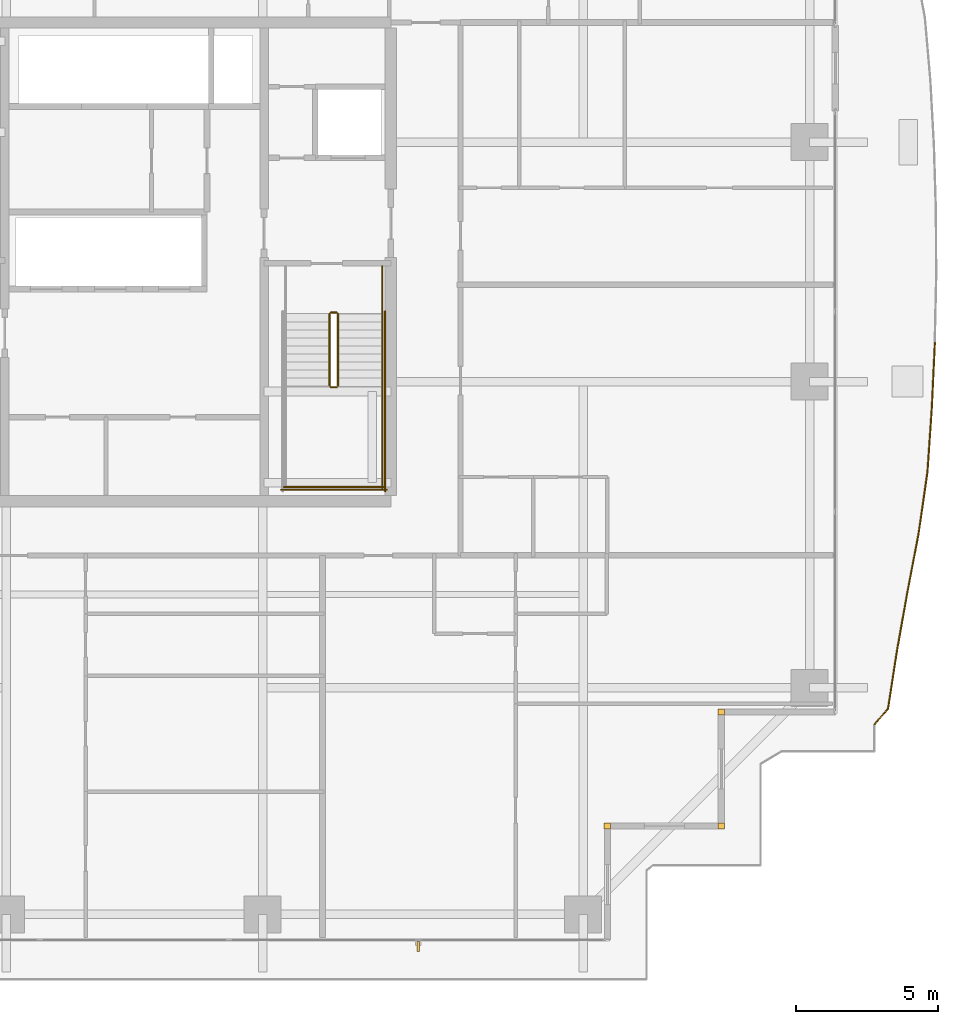
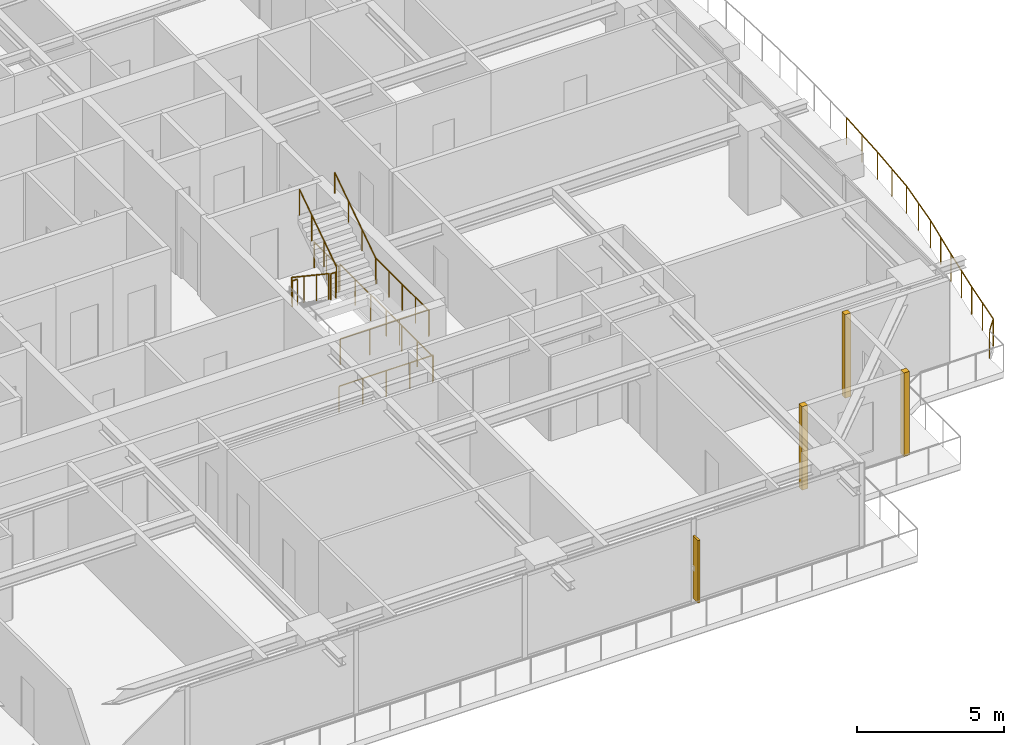
# One storey, part 33 of 34: 11 railings, 3 coverings, 1 shading device.
"""IFC4 building model written with IfcOpenShell, lengths in metres."""

from ifc_helpers import new_model, si_unit, direction, frame, origin, origin_2d, place, context, subcontext, project, spatial, rectangle, circle, extrude, source, transform, mapped, material, layer, layer_set, type_object, element, save


model = new_model("IFC4")

# Units and contexts
model_context = context("Model", 3, precision=1e-05, world=origin(), true_north=direction((0.0, 1.0)))
body_context = subcontext(model_context, "Body", "Model", "MODEL_VIEW")
ifc_project = project(units=[si_unit("LENGTHUNIT", "METRE"), si_unit("AREAUNIT", "SQUARE_METRE"), si_unit("VOLUMEUNIT", "CUBIC_METRE"), si_unit("PLANEANGLEUNIT", "RADIAN"), si_unit("MASSUNIT", "GRAM", prefix="KILO")], contexts=[model_context])

# Site, building, storey
site_placement = place(None, origin())
site = spatial("IfcSite", under=ifc_project, at=site_placement, CompositionType="ELEMENT")
building_placement = place(site_placement, origin())
building = spatial("IfcBuilding", under=site, at=building_placement, Name="Serunith Strait Residences", CompositionType="ELEMENT")
storey_placement = place(building_placement, frame((0.0, 0.0, 180.14990234375)))
storey = spatial("IfcBuildingStorey", under=building, at=storey_placement, Name="L45", CompositionType="ELEMENT", Elevation=180.14990234375)

# Railings
ifc_material_1 = material(Name="Stainless Steel & Laminated Glass Balustrade", Category="steel")
railing_type_1 = type_object("IfcRailingType", Name="RLG-BALC-1150", PredefinedType="BALUSTRADE", material=ifc_material_1)
railing_1_placement = place(storey_placement, frame((60.4951171875, 22.36376953125, -0.0498046875)))
element("IfcRailing", 1, at=railing_1_placement, inside=storey, type_object=railing_type_1, Name="L45 Swirling Balcony Perimeter Balustrade 6", PredefinedType="BALUSTRADE", context=body_context, shape_type="SweptSolid", body=[
    extrude(circle(Radius=0.02392578125, at=origin_2d()), frame((0.0, -0.001953125, 1.1259765625), z_axis=(-0.046885194582, -0.998900284577, 0.0), x_axis=(0.998900284577, -0.046885194582, 0.0)), (0.0, 0.0, 1.0), 2.281982421875),
    extrude(circle(Radius=0.02392578125, at=origin_2d()), frame((-0.107421875, -2.285400390625, 1.1259765625), z_axis=(-0.067759850618, -0.997701660139, 0.0), x_axis=(0.997701660139, -0.067759850618, 0.0)), (0.0, 0.0, 1.0), 2.255126953125),
    extrude(circle(Radius=0.02392578125, at=origin_2d()), frame((-0.260498046875, -4.539306640625, 1.1259765625), z_axis=(-0.142666658646, -0.989770793927, 0.0), x_axis=(0.989770793927, -0.142666658646, 0.0)), (0.0, 0.0, 1.0), 2.191650390625),
    extrude(circle(Radius=0.02392578125, at=origin_2d()), frame((-0.573974609375, -6.71240234375, 1.1259765625), z_axis=(-0.187550666226, -0.982254930045, 0.0), x_axis=(0.982254930045, -0.187550666226, 0.0)), (0.0, 0.0, 1.0), 2.119140625),
    extrude(circle(Radius=0.02392578125, at=origin_2d()), frame((-0.971923828125, -8.7978515625, 1.1259765625), z_axis=(-0.174982534349, -0.984571537611, 0.0), x_axis=(0.984571537611, -0.174982534349, 0.0)), (0.0, 0.0, 1.0), 2.06640625),
    extrude(circle(Radius=0.02392578125, at=origin_2d()), frame((-1.334228515625, -10.83642578125, 1.1259765625), z_axis=(-0.152589427504, -0.988289667362, 0.0), x_axis=(0.988289667362, -0.152589427504, 0.0)), (0.0, 0.0, 1.0), 2.029541015625),
    extrude(circle(Radius=0.02392578125, at=origin_2d()), frame((-1.6455078125, -12.845703125, 1.1259765625), z_axis=(-0.649210146716, -0.760609088429, 0.0), x_axis=(0.760609088429, -0.649210146716, 0.0)), (0.0, 0.0, 1.0), 0.721435546875),
    extrude(circle(Radius=0.02099609375, at=origin_2d()), origin(), (0.0, 0.0, 1.0), 1.099853515625),
    extrude(circle(Radius=0.02099609375, at=origin_2d()), frame((-0.0537109375, -1.1416015625, 0.0)), (0.0, 0.0, 1.0), 1.099853515625),
    extrude(circle(Radius=0.02099609375, at=origin_2d()), frame((-0.107177734375, -2.283447265625, 0.0)), (0.0, 0.0, 1.0), 1.099853515625),
    extrude(circle(Radius=0.02099609375, at=origin_2d()), frame((-0.18359375, -3.410400390625, 0.0)), (0.0, 0.0, 1.0), 1.099853515625),
    extrude(circle(Radius=0.02099609375, at=origin_2d()), frame((-0.26025390625, -4.537353515625, 0.0)), (0.0, 0.0, 1.0), 1.099853515625),
    extrude(circle(Radius=0.02099609375, at=origin_2d()), frame((-0.4169921875, -5.6240234375, 0.0)), (0.0, 0.0, 1.0), 1.099853515625),
    extrude(circle(Radius=0.02099609375, at=origin_2d()), frame((-0.573486328125, -6.71044921875, 0.0)), (0.0, 0.0, 1.0), 1.099853515625),
    extrude(circle(Radius=0.02099609375, at=origin_2d()), frame((-0.7724609375, -7.753173828125, 0.0)), (0.0, 0.0, 1.0), 1.099853515625),
    extrude(circle(Radius=0.02099609375, at=origin_2d()), frame((-0.9716796875, -8.7958984375, 0.0)), (0.0, 0.0, 1.0), 1.099853515625),
    extrude(circle(Radius=0.02099609375, at=origin_2d()), frame((-1.15283203125, -9.815185546875, 0.0)), (0.0, 0.0, 1.0), 1.099853515625),
    extrude(circle(Radius=0.02099609375, at=origin_2d()), frame((-1.333984375, -10.83447265625, 0.0)), (0.0, 0.0, 1.0), 1.099853515625),
    extrude(circle(Radius=0.02099609375, at=origin_2d()), frame((-1.4892578125, -11.83935546875, 0.0)), (0.0, 0.0, 1.0), 1.099853515625),
    extrude(circle(Radius=0.02099609375, at=origin_2d()), frame((-1.644287109375, -12.84423828125, 0.0)), (0.0, 0.0, 1.0), 1.099853515625),
    extrude(circle(Radius=0.02099609375, at=origin_2d()), frame((-2.115234375, -13.39599609375, 0.0)), (0.0, 0.0, 1.0), 1.099853515625),
])
ifc_material_2 = material(Name="Brushed stainless steel 316L", Category="steel")
railing_type_2 = type_object("IfcRailingType", Name="RLG-STAIR-GUARD", PredefinedType="BALUSTRADE", material=ifc_material_2)
railing_2_placement = place(storey_placement, frame((39.25, 23.3701171875, 0.1875)))
element("IfcRailing", 2, at=railing_2_placement, inside=storey, type_object=railing_type_2, Name="L45 ST-2 stair guard 1", PredefinedType="BALUSTRADE", context=body_context, shape_type="SweptSolid", body=[
    extrude(circle(Radius=0.02392578125, at=origin_2d()), frame((0.0, -0.001708984375, 1.0771484375), z_axis=(0.0, -0.830909170722, 0.55640807867), x_axis=(1.0, 0.0, 0.0)), (0.0, 0.0, 1.0), 3.02880859375),
    extrude(circle(Radius=0.02099609375, at=origin_2d()), origin(), (0.0, 0.0, 1.0), 1.050048828125),
    extrude(circle(Radius=0.02099609375, at=origin_2d()), frame((0.0, -0.840087890625, 0.5625)), (0.0, 0.0, 1.0), 1.050048828125),
    extrude(circle(Radius=0.02099609375, at=origin_2d()), frame((0.0, -1.679931640625, 1.125)), (0.0, 0.0, 1.0), 1.050048828125),
    extrude(circle(Radius=0.02099609375, at=origin_2d()), frame((0.0, -2.52001953125, 1.6875)), (0.0, 0.0, 1.0), 1.050048828125),
])
railing_3_placement = place(storey_placement, frame((39.300048828125, 20.800048828125, 1.875)))
element("IfcRailing", 3, at=railing_3_placement, inside=storey, type_object=railing_type_2, Name="L45 ST-2 stair guard 2", PredefinedType="BALUSTRADE", context=body_context, shape_type="SweptSolid", body=[
    extrude(circle(Radius=0.02392578125, at=origin_2d()), frame((0.001953125, 0.0, 1.076171875), z_axis=(1.0, 0.0, 0.0), x_axis=(0.0, 1.0, 0.0)), (0.0, 0.0, 1.0), 0.196044921875),
    extrude(circle(Radius=0.02099609375, at=origin_2d()), origin(), (0.0, 0.0, 1.0), 1.050048828125),
    extrude(circle(Radius=0.02099609375, at=origin_2d()), frame((0.199951171875, 0.0, 0.0)), (0.0, 0.0, 1.0), 1.050048828125),
])
railing_4_placement = place(storey_placement, frame((41.10009765625, 20.85009765625, 1.875)))
element("IfcRailing", 4, at=railing_4_placement, inside=storey, type_object=railing_type_2, Name="L45 ST-2 stair guard 4", PredefinedType="BALUSTRADE", context=body_context, shape_type="SweptSolid", body=[
    extrude(circle(Radius=0.02392578125, at=origin_2d()), frame((0.0, -0.001953125, 1.076171875), z_axis=(0.0, -1.0, 0.0), x_axis=(1.0, 0.0, 0.0)), (0.0, 0.0, 1.0), 3.59619140625),
    extrude(circle(Radius=0.02099609375, at=origin_2d()), origin(), (0.0, 0.0, 1.0), 1.050048828125),
    extrude(circle(Radius=0.02099609375, at=origin_2d()), frame((0.0, -0.89990234375, 0.0)), (0.0, 0.0, 1.0), 1.050048828125),
    extrude(circle(Radius=0.02099609375, at=origin_2d()), frame((0.0, -1.800048828125, 0.0)), (0.0, 0.0, 1.0), 1.050048828125),
    extrude(circle(Radius=0.02099609375, at=origin_2d()), frame((0.0, -2.7001953125, 0.0)), (0.0, 0.0, 1.0), 1.050048828125),
    extrude(circle(Radius=0.02099609375, at=origin_2d()), frame((0.0, -3.60009765625, 0.0)), (0.0, 0.0, 1.0), 1.050048828125),
])
railing_5_placement = place(storey_placement, frame((37.64990234375, 17.300048828125, 1.875)))
element("IfcRailing", 5, at=railing_5_placement, inside=storey, type_object=railing_type_2, Name="L45 ST-2 stair guard 5", PredefinedType="BALUSTRADE", context=body_context, shape_type="SweptSolid", body=[
    extrude(circle(Radius=0.02392578125, at=origin_2d()), frame((0.001953125, 0.0, 1.076171875), z_axis=(1.0, 0.0, 0.0), x_axis=(0.0, 1.0, 0.0)), (0.0, 0.0, 1.0), 3.49609375),
    extrude(circle(Radius=0.02099609375, at=origin_2d()), origin(), (0.0, 0.0, 1.0), 1.050048828125),
    extrude(circle(Radius=0.02099609375, at=origin_2d()), frame((1.166748046875, 0.0, 0.0)), (0.0, 0.0, 1.0), 1.050048828125),
    extrude(circle(Radius=0.02099609375, at=origin_2d()), frame((2.333251953125, 0.0, 0.0)), (0.0, 0.0, 1.0), 1.050048828125),
    extrude(circle(Radius=0.02099609375, at=origin_2d()), frame((3.5, 0.0, 0.0)), (0.0, 0.0, 1.0), 1.050048828125),
])
railing_6_placement = place(storey_placement, frame((39.550048828125, 20.85009765625, 2.0625)))
element("IfcRailing", 6, at=railing_6_placement, inside=storey, type_object=railing_type_2, Name="L45 ST-2 stair guard 6", PredefinedType="BALUSTRADE", context=body_context, shape_type="SweptSolid", body=[
    extrude(circle(Radius=0.02392578125, at=origin_2d()), frame((0.0, 0.001708984375, 1.0771484375), z_axis=(0.0, 0.830909170722, 0.55640807867), x_axis=(-1.0, 0.0, 0.0)), (0.0, 0.0, 1.0), 3.02880859375),
    extrude(circle(Radius=0.02099609375, at=origin_2d()), origin(), (0.0, 0.0, 1.0), 1.050048828125),
    extrude(circle(Radius=0.02099609375, at=origin_2d()), frame((0.0, 0.840087890625, 0.5625)), (0.0, 0.0, 1.0), 1.050048828125),
    extrude(circle(Radius=0.02099609375, at=origin_2d()), frame((0.0, 1.679931640625, 1.125)), (0.0, 0.0, 1.0), 1.050048828125),
    extrude(circle(Radius=0.02099609375, at=origin_2d()), frame((0.0, 2.52001953125, 1.6875)), (0.0, 0.0, 1.0), 1.050048828125),
])
railing_7_placement = place(storey_placement, frame((39.300048828125, 23.419921875, 0.0)))
element("IfcRailing", 7, at=railing_7_placement, inside=storey, type_object=railing_type_2, Name="L45 ST-2 stair guard 7", PredefinedType="BALUSTRADE", context=body_context, shape_type="SweptSolid", body=[
    extrude(circle(Radius=0.02392578125, at=origin_2d()), frame((0.001953125, 0.0, 1.076171875), z_axis=(1.0, 0.0, 0.0), x_axis=(0.0, 1.0, 0.0)), (0.0, 0.0, 1.0), 0.196044921875),
    extrude(circle(Radius=0.02099609375, at=origin_2d()), origin(), (0.0, 0.0, 1.0), 1.050048828125),
    extrude(circle(Radius=0.02099609375, at=origin_2d()), frame((0.199951171875, 0.0, 0.0)), (0.0, 0.0, 1.0), 1.050048828125),
])
railing_8_placement = place(storey_placement, frame((41.10009765625, 25.050048828125, 0.0)))
element("IfcRailing", 8, at=railing_8_placement, inside=storey, type_object=railing_type_2, Name="L45 ST-2 stair guard 9", PredefinedType="BALUSTRADE", context=body_context, shape_type="SweptSolid", body=[
    extrude(circle(Radius=0.02392578125, at=origin_2d()), frame((0.0, -0.001953125, 1.076171875), z_axis=(0.0, -1.0, 0.0), x_axis=(1.0, 0.0, 0.0)), (0.0, 0.0, 1.0), 1.676025390625),
    extrude(circle(Radius=0.02099609375, at=origin_2d()), origin(), (0.0, 0.0, 1.0), 1.050048828125),
    extrude(circle(Radius=0.02099609375, at=origin_2d()), frame((0.0, -0.83984375, 0.0)), (0.0, 0.0, 1.0), 1.050048828125),
    extrude(circle(Radius=0.02099609375, at=origin_2d()), frame((0.0, -1.679931640625, 0.0)), (0.0, 0.0, 1.0), 1.050048828125),
])
railing_9_placement = place(storey_placement, frame((41.199951171875, 23.469970703125, 0.0)))
element("IfcRailing", 9, at=railing_9_placement, inside=storey, type_object=railing_type_2, Name="L45 ST-2 stair guard 11", PredefinedType="BALUSTRADE", context=body_context, shape_type="SweptSolid", body=[
    extrude(circle(Radius=0.02392578125, at=origin_2d()), frame((0.0, -0.001953125, 1.076171875), z_axis=(0.0, -1.0, 0.0), x_axis=(1.0, 0.0, 0.0)), (0.0, 0.0, 1.0), 6.316162109375),
    extrude(circle(Radius=0.02099609375, at=origin_2d()), origin(), (0.0, 0.0, 1.0), 1.050048828125),
    extrude(circle(Radius=0.02099609375, at=origin_2d()), frame((0.0, -1.05322265625, 0.0)), (0.0, 0.0, 1.0), 1.050048828125),
    extrude(circle(Radius=0.02099609375, at=origin_2d()), frame((0.0, -2.106689453125, 0.0)), (0.0, 0.0, 1.0), 1.050048828125),
    extrude(circle(Radius=0.02099609375, at=origin_2d()), frame((0.0, -3.16015625, 0.0)), (0.0, 0.0, 1.0), 1.050048828125),
    extrude(circle(Radius=0.02099609375, at=origin_2d()), frame((0.0, -4.21337890625, 0.0)), (0.0, 0.0, 1.0), 1.050048828125),
    extrude(circle(Radius=0.02099609375, at=origin_2d()), frame((0.0, -5.2666015625, 0.0)), (0.0, 0.0, 1.0), 1.050048828125),
    extrude(circle(Radius=0.02099609375, at=origin_2d()), frame((0.0, -6.320068359375, 0.0)), (0.0, 0.0, 1.0), 1.050048828125),
])
railing_10_placement = place(storey_placement, frame((37.550048828125, 17.199951171875, 0.0)))
element("IfcRailing", 10, at=railing_10_placement, inside=storey, type_object=railing_type_2, Name="L45 ST-2 stair guard 12", PredefinedType="BALUSTRADE", context=body_context, shape_type="SweptSolid", body=[
    extrude(circle(Radius=0.02392578125, at=origin_2d()), frame((0.001953125, 0.0, 1.076171875), z_axis=(1.0, 0.0, 0.0), x_axis=(0.0, 1.0, 0.0)), (0.0, 0.0, 1.0), 3.696044921875),
    extrude(circle(Radius=0.02099609375, at=origin_2d()), origin(), (0.0, 0.0, 1.0), 1.050048828125),
    extrude(circle(Radius=0.02099609375, at=origin_2d()), frame((0.925048828125, 0.0, 0.0)), (0.0, 0.0, 1.0), 1.050048828125),
    extrude(circle(Radius=0.02099609375, at=origin_2d()), frame((1.85009765625, 0.0, 0.0)), (0.0, 0.0, 1.0), 1.050048828125),
    extrude(circle(Radius=0.02099609375, at=origin_2d()), frame((2.77490234375, 0.0, 0.0)), (0.0, 0.0, 1.0), 1.050048828125),
    extrude(circle(Radius=0.02099609375, at=origin_2d()), frame((3.699951171875, 0.0, 0.0)), (0.0, 0.0, 1.0), 1.050048828125),
])
railing_type_3 = type_object("IfcRailingType", Name="RLG-STAIR-HR", PredefinedType="HANDRAIL", material=ifc_material_2)
railing_11_placement = place(storey_placement, frame((41.10009765625, 20.85009765625, 2.0625)))
element("IfcRailing", 11, at=railing_11_placement, inside=storey, type_object=railing_type_3, Name="L45 ST-2 stair handrail 2", PredefinedType="HANDRAIL", context=body_context, shape_type="SweptSolid", body=[
    extrude(circle(Radius=0.02392578125, at=origin_2d()), frame((0.0, 0.001708984375, 0.876953125), z_axis=(0.0, 0.830185712471, 0.557486935101), x_axis=(-1.0, 0.0, 0.0)), (0.0, 0.0, 1.0), 3.368408203125),
    extrude(circle(Radius=0.02099609375, at=origin_2d()), origin(), (0.0, 0.0, 1.0), 0.849853515625),
    extrude(circle(Radius=0.02099609375, at=origin_2d()), frame((0.0, 0.933349609375, 0.626708984375)), (0.0, 0.0, 1.0), 0.849853515625),
    extrude(circle(Radius=0.02099609375, at=origin_2d()), frame((0.0, 1.866455078125, 1.25341796875)), (0.0, 0.0, 1.0), 0.849853515625),
    extrude(circle(Radius=0.02099609375, at=origin_2d()), frame((0.0, 2.7998046875, 1.880126953125)), (0.0, 0.0, 1.0), 0.849853515625),
])

# Coverings
ifc_material_3 = material(Name="Pale-Champagne Anodised Aluminium", Category="aluminium")
ifc_layer = layer(ifc_material_3, 0.219970703125, Name="Pale-Champagne Anodised Aluminium")
ifc_layer_set = layer_set([ifc_layer], Name="Pale-Champagne Anodised Aluminium")
covering_type = type_object("IfcCoveringType", Name="COV-CORN-TRIM", PredefinedType="CLADDING", material=ifc_layer_set)
shared_shape_1 = source(origin(), body_context, "Body", "SweptSolid", [
    extrude(rectangle(XDim=0.221923828125, YDim=0.221923828125, at=origin_2d()), origin(), (0.0, 0.0, 1.0), 3.47509765625),
])
for number, where, z_axis, x_axis, name in (
    (12, (49.0, 5.39990234375, 0.0), (0.0, 0.0, 1.0), (1.0, 0.0, 0.0), "L45 Girih Serrated Corner Trim Post 02"),
    (13, (53.0, 5.39990234375, 0.0), (0.0, 0.0, 1.0), (1.0, 0.0, 0.0), "L45 Girih Serrated Corner Trim Post 03"),
    (14, (53.0, 9.39990234375, 0.0), (0.0, 0.0, 1.0), (1.0, 0.0, 0.0), "L45 Girih Serrated Corner Trim Post 04"),
):
    element("IfcCovering", number, at=place(storey_placement, frame(where, z_axis=z_axis, x_axis=x_axis)), inside=storey, type_object=covering_type, Name=name, PredefinedType="CLADDING", context=body_context, shape_type="MappedRepresentation", body=[
        mapped(shared_shape_1, transform((0.0, 0.0, 0.0), scale=1.0)),
    ])

# Shading device
ifc_material_4 = material(Name="Pale-Champagne Perforated Aluminium Fin", Category="aluminium")
shading_device_type = type_object("IfcShadingDeviceType", Name="SHD-DIAG-FIN", PredefinedType="AWNING", material=ifc_material_4)
shared_shape_2 = source(origin(), body_context, "Body", "SweptSolid", [
    extrude(rectangle(XDim=0.080078125, YDim=0.35009765625, at=origin_2d()), origin(), (0.0, 0.0, 1.0), 2.60009765625),
])
shading_device_placement = place(storey_placement, frame((42.360107421875, 1.179931640625, 0.199951171875), z_axis=(0.0, 0.0, 1.0), x_axis=(1.0, 0.0, 0.0)))
element("IfcShadingDevice", 15, at=shading_device_placement, inside=storey, type_object=shading_device_type, Name="L45 Diagonal Rhythm Solar Fin S", PredefinedType="AWNING", context=body_context, shape_type="MappedRepresentation", body=[
    mapped(shared_shape_2, transform((0.0, 0.0, 0.0), scale=1.0)),
])

save(model, "model.ifc")
